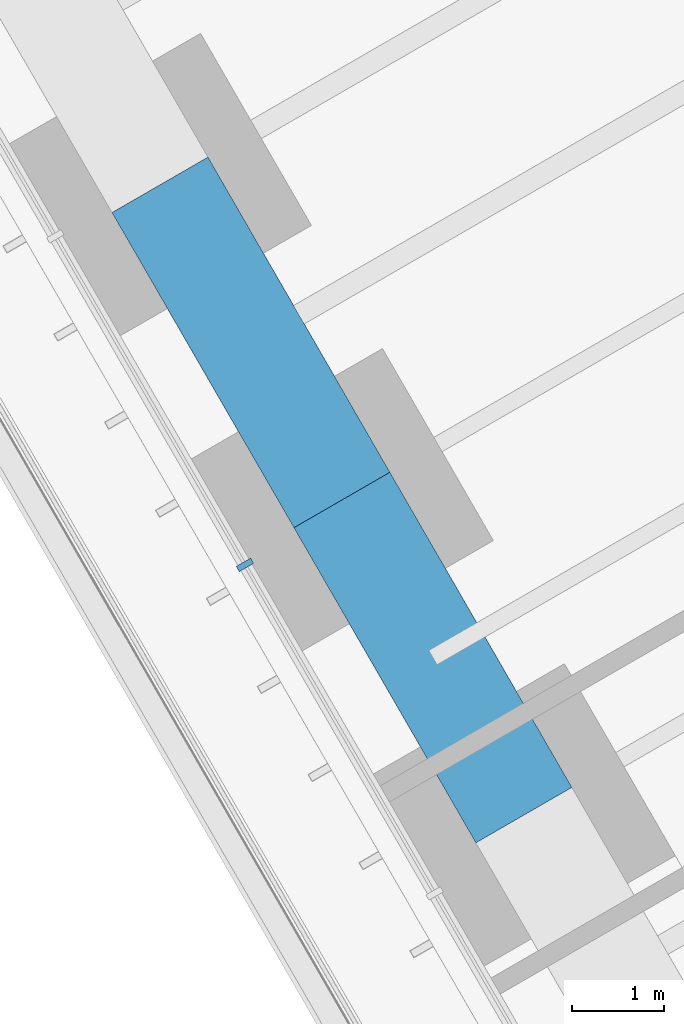
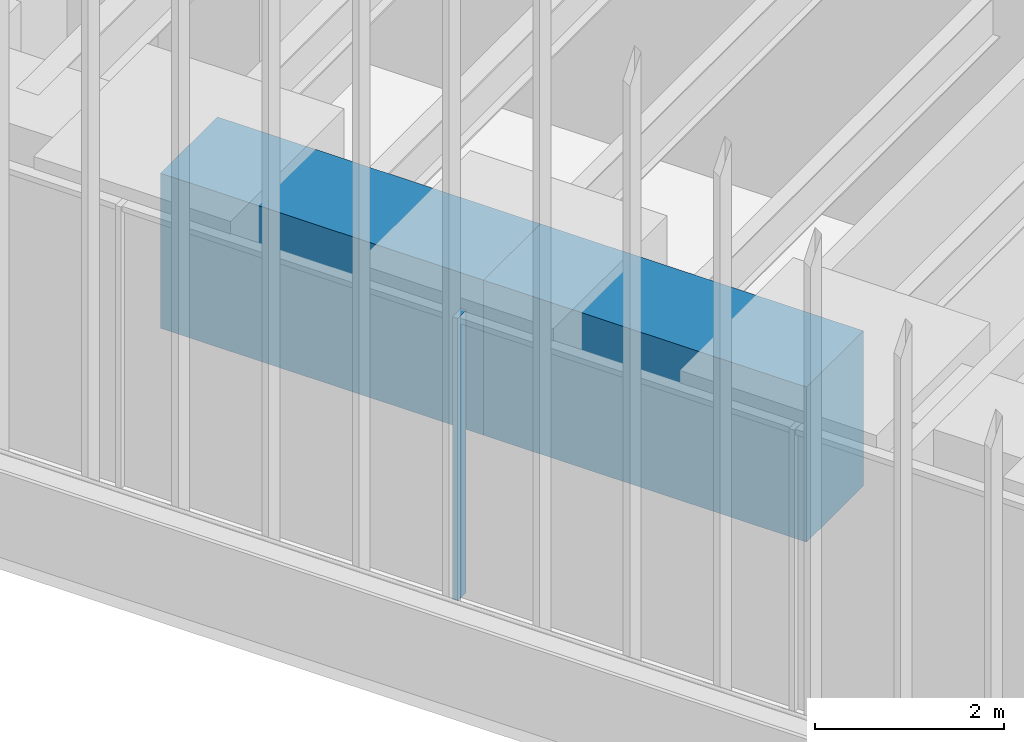
# One storey, part 38 of 238: 2 beams, 1 member, 1 element without a shape of its own.
"""IFC4 building model written with IfcOpenShell, lengths in metres."""

from ifc_helpers import new_model, si_unit, direction, frame, origin, origin_2d, place, context, subcontext, project, spatial, rectangle, extrude, material, material_profile, profile_set, type_object, element, aggregate, save


model = new_model("IFC4")

# Units and contexts
model_context = context("Model", 3, precision=1e-05, world=origin(), true_north=direction((0.0, 1.0)))
body_context = subcontext(model_context, "Body", "Model", "MODEL_VIEW")
ifc_project = project(units=[si_unit("LENGTHUNIT", "METRE"), si_unit("AREAUNIT", "SQUARE_METRE"), si_unit("VOLUMEUNIT", "CUBIC_METRE"), si_unit("PLANEANGLEUNIT", "RADIAN"), si_unit("MASSUNIT", "GRAM", prefix="KILO")], contexts=[model_context])

# Site, building, storey
site_placement = place(None, origin())
site = spatial("IfcSite", under=ifc_project, at=site_placement, CompositionType="ELEMENT")
building_placement = place(site_placement, origin())
building = spatial("IfcBuilding", under=site, at=building_placement, Name="Sandreach Pilgrim Tower", CompositionType="ELEMENT")
storey_placement = place(building_placement, frame((0.0, 0.0, 96.800048828125)))
storey = spatial("IfcBuildingStorey", under=building, at=storey_placement, Name="L23", CompositionType="ELEMENT", Elevation=96.800048828125)

# Curtain wall, member
ifc_material_1 = material(Name="Aluminium framed curtain wall", Category="aluminium")
curtain_wall_type = type_object("IfcCurtainWallType", Name="Hotel tower curtain wall", PredefinedType="NOTDEFINED", material=ifc_material_1)
curtain_wall_placement = place(storey_placement, origin())
curtain_wall = element("IfcCurtainWall", 1, at=curtain_wall_placement, inside=storey, type_object=curtain_wall_type, Name="CW-2 L23 SW", PredefinedType="NOTDEFINED")
ifc_material_2 = material(Name="Aluminium extrusion", Category="aluminium")
ifc_material_profile_1 = material_profile(ifc_material_2, rectangle(XDim=0.06494140625, YDim=0.179931640625, at=origin_2d()), Name="CW-2M 65X180")
ifc_profile_set_1 = profile_set([ifc_material_profile_1], Name="Aluminium extrusion")
member_type = type_object("IfcMemberType", Name="CW-2 mullion", PredefinedType="MULLION", material=ifc_profile_set_1)
member_placement = place(storey_placement, frame((-18.453369140625, -13.025146484375, 0.0), z_axis=(0.0, 0.0, 1.0), x_axis=(-0.5, 0.866025403784, 0.0)))
member = element("IfcMember", 2, at=member_placement, type_object=member_type, Name="CW-2 mullion 5", PredefinedType="MULLION", context=body_context, shape_type="SweptSolid", body=[
    extrude(rectangle(XDim=0.06494140625, YDim=0.179931640625, at=origin_2d()), origin(), (0.0, 0.0, 1.0), 3.639892578125),
])
aggregate(curtain_wall, [member])

# Beams
ifc_material_3 = material(Name="Concrete 10000 psi", Category="concrete")
ifc_material_profile_2 = material_profile(ifc_material_3, rectangle(XDim=1.199951171875, YDim=2.0, at=origin_2d()), Name="RC1200X2000")
ifc_profile_set_2 = profile_set([ifc_material_profile_2], Name="Concrete 10000 psi")
beam_type = type_object("IfcBeamType", Name="Spandrel beam RC1200X2000", PredefinedType="SPANDREL", material=ifc_profile_set_2)
for number, where, z_axis, x_axis, name in (
    (3, (-15.43408203125, -15.735107421875, 2.639892578125), (-0.49999779889, 0.866026674592, 0.0), (-0.866026674592, -0.49999779889, 0.0), "BM L23 SP29"),
    (4, (-17.404052734375, -12.322998046875, 2.639892578125), (-0.49999779889, 0.866026674592, 0.0), (-0.866026674592, -0.49999779889, 0.0), "BM L23 SP30"),
):
    element("IfcBeam", number, at=place(storey_placement, frame(where, z_axis=z_axis, x_axis=x_axis)), inside=storey, type_object=beam_type, Name=name, PredefinedType="SPANDREL", context=body_context, shape_type="SweptSolid", body=[
        extrude(rectangle(XDim=1.199951171875, YDim=2.0, at=origin_2d()), origin(), (0.0, 0.0, 1.0), 3.93994140625),
    ])

save(model, "model.ifc")
